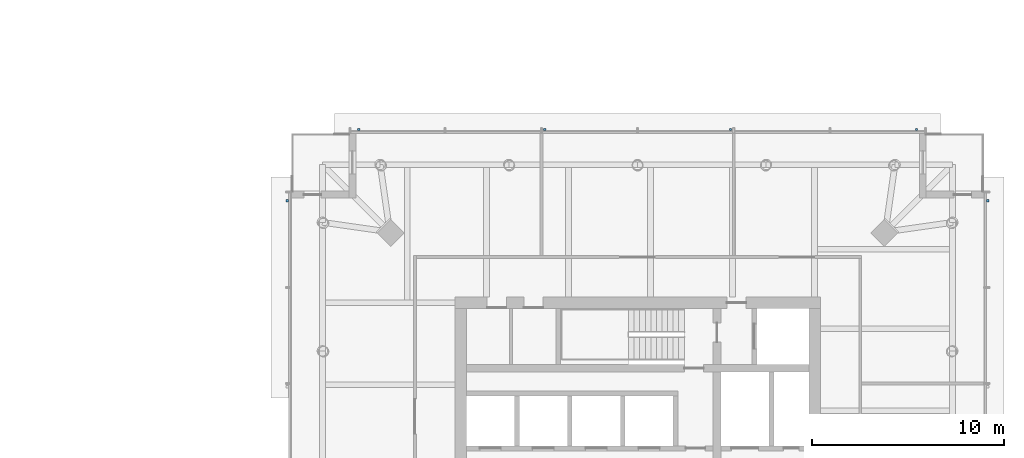
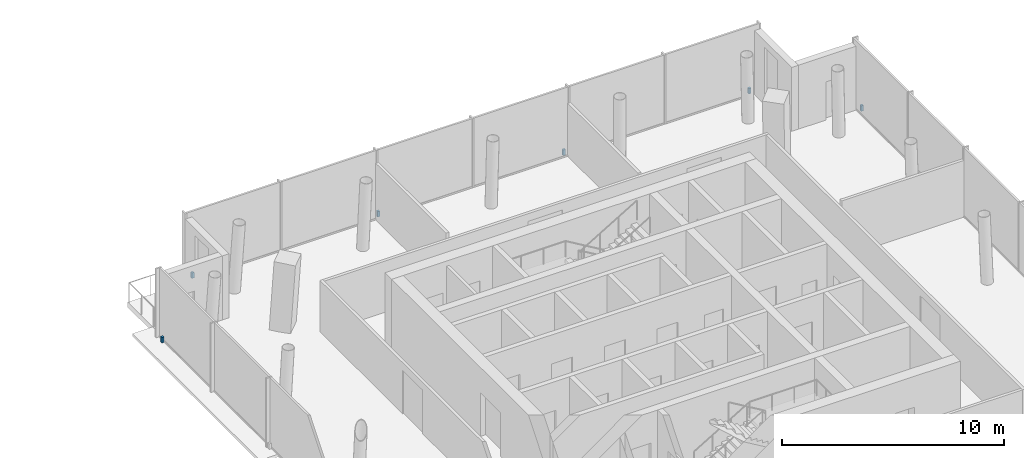
# One storey, part 23 of 28: 6 discrete accessories.
"""IFC4 building model written with IfcOpenShell, lengths in metres."""

from ifc_helpers import new_model, si_unit, direction, frame, origin, origin_2d, place, context, subcontext, project, spatial, rectangle, extrude, material, type_object, element, save


model = new_model("IFC4")

# Units and contexts
model_context = context("Model", 3, precision=1e-05, world=origin(), true_north=direction((0.0, 1.0)))
body_context = subcontext(model_context, "Body", "Model", "MODEL_VIEW")
ifc_project = project(units=[si_unit("LENGTHUNIT", "METRE"), si_unit("AREAUNIT", "SQUARE_METRE"), si_unit("VOLUMEUNIT", "CUBIC_METRE"), si_unit("PLANEANGLEUNIT", "RADIAN"), si_unit("MASSUNIT", "GRAM", prefix="KILO")], contexts=[model_context])

# Site, building, storey
site_placement = place(None, origin())
site = spatial("IfcSite", under=ifc_project, at=site_placement, CompositionType="ELEMENT")
building_placement = place(site_placement, origin())
building = spatial("IfcBuilding", under=site, at=building_placement, Name="Ostroluk Exchange", CompositionType="ELEMENT")
storey_placement = place(building_placement, frame((0.0, 0.0, 81.800048828125)))
storey = spatial("IfcBuildingStorey", under=building, at=storey_placement, Name="L20", CompositionType="ELEMENT", Elevation=81.800048828125)

# Discrete accessories
ifc_material = material(Name="Stainless steel", Category="steel")
discrete_accessory_type = type_object("IfcDiscreteAccessoryType", Name="Fall-arrest anchor PN-EN 795 type C", PredefinedType="USERDEFINED", material=ifc_material)
for number, where, z_axis, x_axis, name in (
    (1, (135.2099609375, 60.5, 0.0), (0.0, 0.0, 1.0), (1.0, 0.0, 0.0), "Fall-arrest anchor L20 east 4"),
    (2, (102.5, 64.2099609375, 0.0), (0.0, 0.0, 1.0), (1.0, 0.0, 0.0), "Fall-arrest anchor L20 north 1"),
    (3, (112.166748046875, 64.2099609375, 0.0), (0.0, 0.0, 1.0), (1.0, 0.0, 0.0), "Fall-arrest anchor L20 north 2"),
    (4, (121.833251953125, 64.2099609375, 0.0), (0.0, 0.0, 1.0), (1.0, 0.0, 0.0), "Fall-arrest anchor L20 north 3"),
    (5, (131.5, 64.2099609375, 0.0), (0.0, 0.0, 1.0), (1.0, 0.0, 0.0), "Fall-arrest anchor L20 north 4"),
    (6, (98.7900390625, 60.5, 0.0), (0.0, 0.0, 1.0), (1.0, 0.0, 0.0), "Fall-arrest anchor L20 west 4"),
):
    element("IfcDiscreteAccessory", number, at=place(storey_placement, frame(where, z_axis=z_axis, x_axis=x_axis)), inside=storey, type_object=discrete_accessory_type, Name=name, ObjectType="FALL ARREST ANCHOR", PredefinedType="USERDEFINED", context=body_context, shape_type="SweptSolid", body=[
        extrude(rectangle(XDim=0.1201171875, YDim=0.1201171875, at=origin_2d()), origin(), (0.0, 0.0, 1.0), 0.300048828125),
    ])

save(model, "model.ifc")
